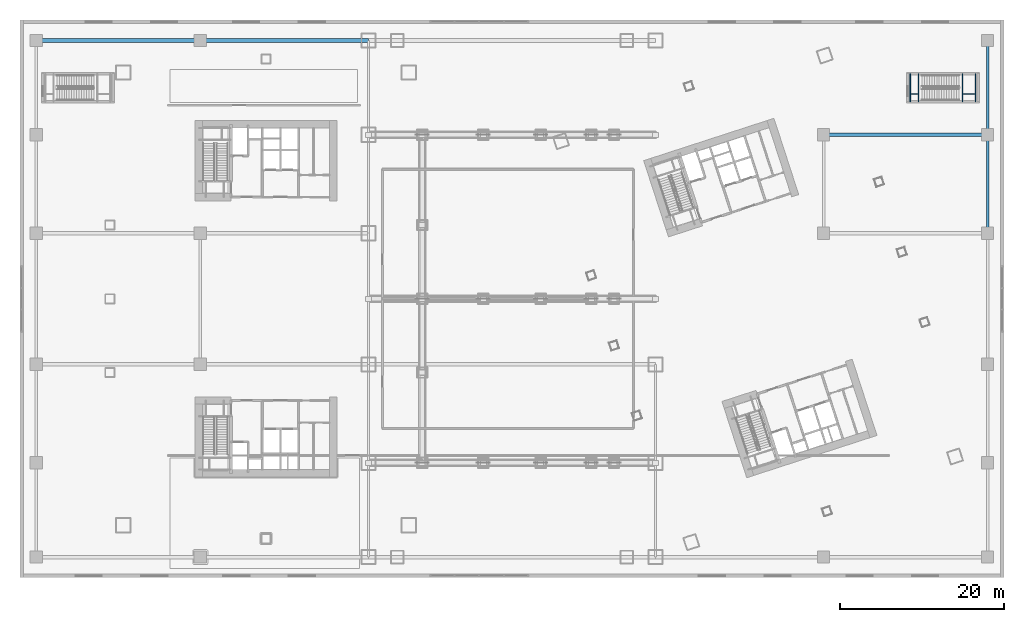
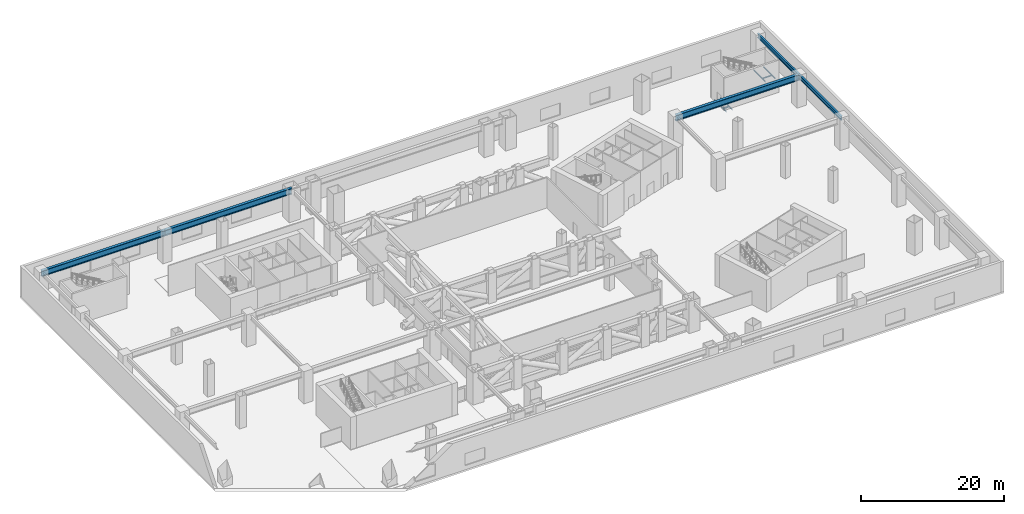
# One storey, part 17 of 34: 11 beams.
"""IFC4 building model written with IfcOpenShell, lengths in metres."""

from ifc_helpers import new_model, si_unit, direction, frame, origin, origin_2d, place, context, subcontext, project, spatial, i_section, extrude, material, material_profile, profile_set, type_object, element, save


model = new_model("IFC4")

# Units and contexts
model_context = context("Model", 3, precision=1e-05, world=origin(), true_north=direction((0.0, 1.0)))
body_context = subcontext(model_context, "Body", "Model", "MODEL_VIEW")
ifc_project = project(units=[si_unit("LENGTHUNIT", "METRE"), si_unit("AREAUNIT", "SQUARE_METRE"), si_unit("VOLUMEUNIT", "CUBIC_METRE"), si_unit("PLANEANGLEUNIT", "RADIAN"), si_unit("MASSUNIT", "GRAM", prefix="KILO")], contexts=[model_context])

# Site, building, storey
site_placement = place(None, origin())
site = spatial("IfcSite", under=ifc_project, at=site_placement, CompositionType="ELEMENT")
building_placement = place(site_placement, origin())
building = spatial("IfcBuilding", under=site, at=building_placement, Name="Qiaolan Cultural Towers", CompositionType="ELEMENT")
storey_placement = place(building_placement, frame((0.0, 0.0, 16.5)))
storey = spatial("IfcBuildingStorey", under=building, at=storey_placement, Name="L03", CompositionType="ELEMENT", Elevation=16.5)

# Beams
ifc_material_1 = material(Name="Steel Q390GJB", Category="steel")
ifc_material_profile_1 = material_profile(ifc_material_1, i_section(OverallWidth=0.449951171875, OverallDepth=1.0, WebThickness=0.02392578125, FlangeThickness=0.0400390625, at=origin_2d()), Name="BH1000x450x24x40")
ifc_profile_set_1 = profile_set([ifc_material_profile_1], Name="Steel Q390GJB")
beam_type_1 = type_object("IfcBeamType", Name="BM-BH1000x450x24x40", PredefinedType="BEAM", material=ifc_profile_set_1)
for number, where, z_axis, x_axis, name in (
    (1, (98.0, 54.0, 4.699951171875), (1.0, 0.0, 0.0), (0.0, 1.0, 0.0), "L03 Podium Primary Girder Y=54.0"),
    (2, (2.0, 65.5, 4.699951171875), (1.0, 0.0, 0.0), (0.0, 1.0, 0.0), "L03 Podium Primary Girder Y=65.5"),
):
    element("IfcBeam", number, at=place(storey_placement, frame(where, z_axis=z_axis, x_axis=x_axis)), inside=storey, type_object=beam_type_1, Name=name, PredefinedType="BEAM", context=body_context, shape_type="SweptSolid", body=[
        extrude(i_section(OverallWidth=0.449951171875, OverallDepth=1.0, WebThickness=0.02392578125, FlangeThickness=0.0400390625, at=origin_2d()), origin(), (0.0, 0.0, 1.0), 20.0),
    ])
beam_1_placement = place(storey_placement, frame((22.0, 65.5, 4.699951171875), z_axis=(1.0, 0.0, 0.0), x_axis=(0.0, 1.0, 0.0)))
element("IfcBeam", 3, at=beam_1_placement, inside=storey, type_object=beam_type_1, Name="L03 Podium Primary Girder Y=65.5", PredefinedType="BEAM", context=body_context, shape_type="SweptSolid", body=[
    extrude(i_section(OverallWidth=0.449951171875, OverallDepth=1.0, WebThickness=0.02392578125, FlangeThickness=0.0400390625, at=origin_2d()), origin(), (0.0, 0.0, 1.0), 20.5),
])
ifc_material_2 = material(Name="Steel Q355B", Category="steel")
ifc_material_profile_2 = material_profile(ifc_material_2, i_section(OverallWidth=0.300048828125, OverallDepth=0.699951171875, WebThickness=0.012939453125, FlangeThickness=0.02392578125, at=origin_2d()), Name="HN700x300x13x24")
ifc_profile_set_2 = profile_set([ifc_material_profile_2], Name="Steel Q355B")
beam_type_2 = type_object("IfcBeamType", Name="BM-HN700x300x13x24", PredefinedType="BEAM", material=ifc_profile_set_2)
beam_2_placement = place(storey_placement, frame((118.0, 42.0, 4.85009765625), z_axis=(0.0, 1.0, 0.0), x_axis=(-1.0, 0.0, 0.0)))
element("IfcBeam", 4, at=beam_2_placement, inside=storey, type_object=beam_type_2, Name="L03 Podium Transverse Beam X=118.0", PredefinedType="BEAM", context=body_context, shape_type="SweptSolid", body=[
    extrude(i_section(OverallWidth=0.300048828125, OverallDepth=0.699951171875, WebThickness=0.012939453125, FlangeThickness=0.02392578125, at=origin_2d()), origin(), (0.0, 0.0, 1.0), 12.0),
])
beam_3_placement = place(storey_placement, frame((118.0, 54.0, 4.85009765625), z_axis=(0.0, 1.0, 0.0), x_axis=(-1.0, 0.0, 0.0)))
element("IfcBeam", 5, at=beam_3_placement, inside=storey, type_object=beam_type_2, Name="L03 Podium Transverse Beam X=118.0", PredefinedType="BEAM", context=body_context, shape_type="SweptSolid", body=[
    extrude(i_section(OverallWidth=0.300048828125, OverallDepth=0.699951171875, WebThickness=0.012939453125, FlangeThickness=0.02392578125, at=origin_2d()), origin(), (0.0, 0.0, 1.0), 11.5),
])
ifc_material_3 = material(Name="Steel Q355B", Category="steel")
ifc_material_profile_3 = material_profile(ifc_material_3, i_section(OverallWidth=0.10009765625, OverallDepth=0.199951171875, WebThickness=0.005615234375, FlangeThickness=0.008056640625, at=origin_2d()), Name="HN200x100x5.5x8")
ifc_profile_set_3 = profile_set([ifc_material_profile_3], Name="Steel Q355B")
beam_type_3 = type_object("IfcBeamType", Name="BM-STTRIM-200", PredefinedType="BEAM", material=ifc_profile_set_3)
for number, where, z_axis, x_axis, name in (
    (6, (108.580078125, 58.050048828125, -0.4599609375), (0.0, 1.0, 0.0), (-1.0, 0.0, 0.0), "L03 ST-P2 Floor Landing Beam 1"),
    (7, (109.580078125, 58.050048828125, -0.4599609375), (0.0, 1.0, 0.0), (-1.0, 0.0, 0.0), "L03 ST-P2 Floor Landing Beam 2"),
):
    element("IfcBeam", number, at=place(storey_placement, frame(where, z_axis=z_axis, x_axis=x_axis)), inside=storey, type_object=beam_type_3, Name=name, PredefinedType="BEAM", context=body_context, shape_type="SweptSolid", body=[
        extrude(i_section(OverallWidth=0.10009765625, OverallDepth=0.199951171875, WebThickness=0.005615234375, FlangeThickness=0.008056640625, at=origin_2d()), origin(), (0.0, 0.0, 1.0), 3.39990234375),
    ])
beam_4_placement = place(storey_placement, frame((108.580078125, 58.97509765625, -0.4599609375), z_axis=(1.0, 0.0, 0.0), x_axis=(0.0, 1.0, 0.0)))
element("IfcBeam", 8, at=beam_4_placement, inside=storey, type_object=beam_type_3, Name="L03 ST-P2 Floor Landing Trimmer", PredefinedType="BEAM", context=body_context, shape_type="SweptSolid", body=[
    extrude(i_section(OverallWidth=0.10009765625, OverallDepth=0.199951171875, WebThickness=0.005615234375, FlangeThickness=0.008056640625, at=origin_2d()), origin(), (0.0, 0.0, 1.0), 1.0),
])
for number, where, z_axis, x_axis, name in (
    (9, (114.938720703125, 58.050048828125, 2.449951171875), (0.0, 1.0, 0.0), (-1.0, 0.0, 0.0), "L03 ST-P2 Stair Landing Support Beam 1-1"),
    (10, (116.52001953125, 58.050048828125, 2.449951171875), (0.0, 1.0, 0.0), (-1.0, 0.0, 0.0), "L03 ST-P2 Stair Landing Support Beam 1-2"),
):
    element("IfcBeam", number, at=place(storey_placement, frame(where, z_axis=z_axis, x_axis=x_axis)), inside=storey, type_object=beam_type_3, Name=name, PredefinedType="BEAM", context=body_context, shape_type="SweptSolid", body=[
        extrude(i_section(OverallWidth=0.10009765625, OverallDepth=0.199951171875, WebThickness=0.005615234375, FlangeThickness=0.008056640625, at=origin_2d()), origin(), (0.0, 0.0, 1.0), 3.39990234375),
    ])
beam_5_placement = place(storey_placement, frame((114.938720703125, 58.97509765625, 2.449951171875), z_axis=(1.0, 0.0, 0.0), x_axis=(0.0, 1.0, 0.0)))
element("IfcBeam", 11, at=beam_5_placement, inside=storey, type_object=beam_type_3, Name="L03 ST-P2 Stair Landing Trimmer 1", PredefinedType="BEAM", context=body_context, shape_type="SweptSolid", body=[
    extrude(i_section(OverallWidth=0.10009765625, OverallDepth=0.199951171875, WebThickness=0.005615234375, FlangeThickness=0.008056640625, at=origin_2d()), origin(), (0.0, 0.0, 1.0), 1.581298828125),
])

save(model, "model.ifc")
